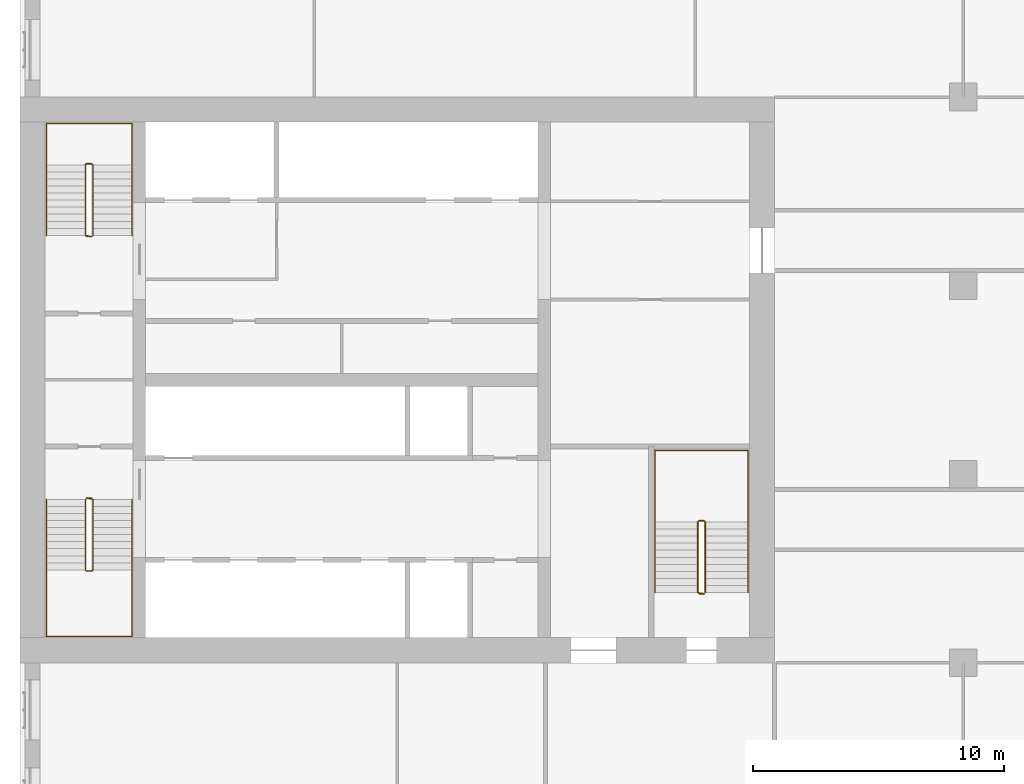
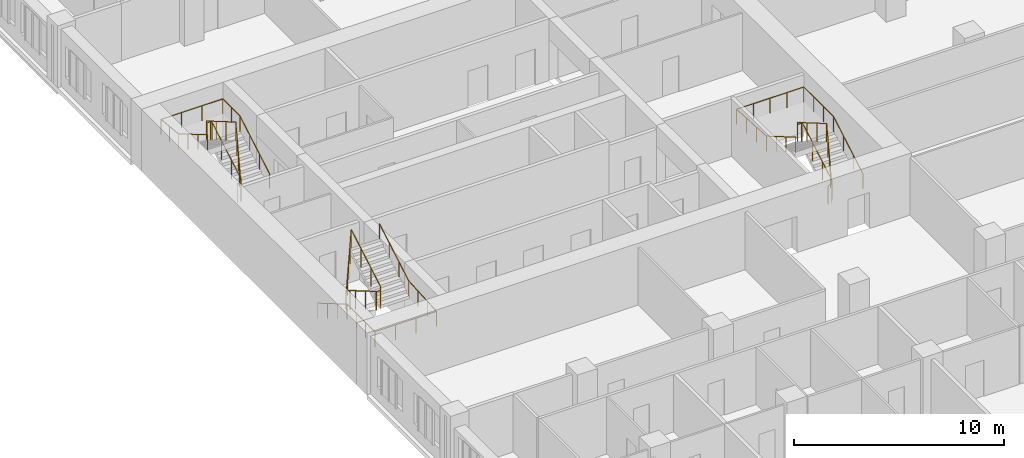
# One storey, part 14 of 14: 6 railings.
"""IFC4 building model written with IfcOpenShell, lengths in metres."""

from ifc_helpers import new_model, si_unit, direction, frame, origin, origin_2d, place, context, subcontext, project, spatial, circle, extrude, material, type_object, element, save


model = new_model("IFC4")

# Units and contexts
model_context = context("Model", 3, precision=1e-05, world=origin(), true_north=direction((0.0, 1.0)))
body_context = subcontext(model_context, "Body", "Model", "MODEL_VIEW")
ifc_project = project(units=[si_unit("LENGTHUNIT", "METRE"), si_unit("AREAUNIT", "SQUARE_METRE"), si_unit("VOLUMEUNIT", "CUBIC_METRE"), si_unit("PLANEANGLEUNIT", "RADIAN"), si_unit("MASSUNIT", "GRAM", prefix="KILO")], contexts=[model_context])

# Site, building, storey
site_placement = place(None, origin())
site = spatial("IfcSite", under=ifc_project, at=site_placement, CompositionType="ELEMENT")
building_placement = place(site_placement, origin())
building = spatial("IfcBuilding", under=site, at=building_placement, Name="Tamorin Gate", CompositionType="ELEMENT")
storey_placement = place(building_placement, frame((0.0, 0.0, 79.10009765625)))
storey = spatial("IfcBuildingStorey", under=building, at=storey_placement, Name="L18", CompositionType="ELEMENT", Elevation=79.10009765625)

# Railings
ifc_material_1 = material(Name="Painted steel balustrade", Category="steel")
railing_type_1 = type_object("IfcRailingType", Name="Stair guard 1100", PredefinedType="GUARDRAIL", material=ifc_material_1)
railing_1_placement = place(storey_placement, frame((32.60009765625, 66.5, 0.16357421875)))
element("IfcRailing", 1, at=railing_1_placement, inside=storey, type_object=railing_type_1, Name="L18 ST1 stair guard 1", PredefinedType="GUARDRAIL", context=body_context, shape_type="SweptSolid", body=[
    extrude(circle(Radius=0.02392578125, at=origin_2d()), frame((0.0, 0.0, 1.076171875), z_axis=(0.0, -0.863393664356, 0.504530851732), x_axis=(1.0, 0.0, 0.0)), (0.0, 0.0, 1.0), 3.2431640625),
    extrude(circle(Radius=0.02392578125, at=origin_2d()), frame((0.0, -2.800048828125, 2.71240234375), z_axis=(0.705375805398, -0.708833529934, 0.0), x_axis=(0.708833529934, 0.705375805398, 0.0)), (0.0, 0.0, 1.0), 0.070556640625),
    extrude(circle(Radius=0.02392578125, at=origin_2d()), frame((0.0498046875, -2.85009765625, 2.71240234375), z_axis=(1.0, 0.0, 0.0), x_axis=(0.0, 1.0, 0.0)), (0.0, 0.0, 1.0), 0.2001953125),
    extrude(circle(Radius=0.02392578125, at=origin_2d()), frame((0.25, -2.85009765625, 2.71240234375), z_axis=(0.279194930351, 0.280563532951, 0.91833234444), x_axis=(-0.708833529934, 0.705375805398, 0.0)), (0.0, 0.0, 1.0), 0.178466796875),
    extrude(circle(Radius=0.02392578125, at=origin_2d()), frame((0.2998046875, -2.800048828125, 2.8759765625), z_axis=(0.0, 0.863393664356, 0.504530851732), x_axis=(-1.0, 0.0, 0.0)), (0.0, 0.0, 1.0), 3.2431640625),
    extrude(circle(Radius=0.02392578125, at=origin_2d()), frame((0.2998046875, 0.0, 4.51220703125), z_axis=(-0.069273741535, 0.013868278335, -0.997501288014), x_axis=(-0.196300278283, -0.98054382908, 0.0)), (0.0, 0.0, 1.0), 3.60888671875),
    extrude(circle(Radius=0.02392578125, at=origin_2d()), frame((0.0498046875, 0.050048828125, 0.91259765625), z_axis=(1.0, 0.0, 0.0), x_axis=(0.0, 1.0, 0.0)), (0.0, 0.0, 1.0), 0.2001953125),
    extrude(circle(Radius=0.02099609375, at=origin_2d()), origin(), (0.0, 0.0, 1.0), 1.052001953125),
    extrude(circle(Radius=0.02099609375, at=origin_2d()), frame((0.0, -0.933349609375, 0.54541015625)), (0.0, 0.0, 1.0), 1.052001953125),
    extrude(circle(Radius=0.02099609375, at=origin_2d()), frame((0.0, -1.86669921875, 1.0908203125)), (0.0, 0.0, 1.0), 1.052001953125),
    extrude(circle(Radius=0.02099609375, at=origin_2d()), frame((0.0, -2.800048828125, 1.63623046875)), (0.0, 0.0, 1.0), 1.052001953125),
    extrude(circle(Radius=0.02099609375, at=origin_2d()), frame((0.0498046875, -2.85009765625, 1.63623046875)), (0.0, 0.0, 1.0), 1.052001953125),
    extrude(circle(Radius=0.02099609375, at=origin_2d()), frame((0.25, -2.85009765625, 1.63623046875)), (0.0, 0.0, 1.0), 1.052001953125),
    extrude(circle(Radius=0.02099609375, at=origin_2d()), frame((0.2998046875, -2.800048828125, 1.800048828125)), (0.0, 0.0, 1.0), 1.052001953125),
    extrude(circle(Radius=0.02099609375, at=origin_2d()), frame((0.2998046875, -1.86669921875, 2.345458984375)), (0.0, 0.0, 1.0), 1.052001953125),
    extrude(circle(Radius=0.02099609375, at=origin_2d()), frame((0.2998046875, -0.933349609375, 2.890869140625)), (0.0, 0.0, 1.0), 1.052001953125),
    extrude(circle(Radius=0.02099609375, at=origin_2d()), frame((0.2998046875, 0.0, 3.436279296875)), (0.0, 0.0, 1.0), 1.052001953125),
    extrude(circle(Radius=0.02099609375, at=origin_2d()), frame((0.2373046875, 0.012451171875, 2.536376953125)), (0.0, 0.0, 1.0), 1.052001953125),
    extrude(circle(Radius=0.02099609375, at=origin_2d()), frame((0.1748046875, 0.02490234375, 1.63623046875)), (0.0, 0.0, 1.0), 1.052001953125),
    extrude(circle(Radius=0.02099609375, at=origin_2d()), frame((0.1123046875, 0.03759765625, 0.736328125)), (0.0, 0.0, 1.0), 1.052001953125),
    extrude(circle(Radius=0.02099609375, at=origin_2d()), frame((0.0498046875, 0.050048828125, -0.16357421875)), (0.0, 0.0, 1.0), 1.052001953125),
    extrude(circle(Radius=0.02099609375, at=origin_2d()), frame((0.25, 0.050048828125, -0.16357421875)), (0.0, 0.0, 1.0), 1.052001953125),
])
railing_2_placement = place(storey_placement, frame((32.89990234375, 77.0, 0.16357421875)))
element("IfcRailing", 2, at=railing_2_placement, inside=storey, type_object=railing_type_1, Name="L18 ST2 stair guard 1", PredefinedType="GUARDRAIL", context=body_context, shape_type="SweptSolid", body=[
    extrude(circle(Radius=0.02392578125, at=origin_2d()), frame((0.0, 0.0, 1.076171875), z_axis=(0.0, 0.863393664356, 0.504530851732), x_axis=(-1.0, 0.0, 0.0)), (0.0, 0.0, 1.0), 3.2431640625),
    extrude(circle(Radius=0.02392578125, at=origin_2d()), frame((0.0, 2.800048828125, 2.71240234375), z_axis=(-0.705375805398, 0.708833529934, 0.0), x_axis=(-0.708833529934, -0.705375805398, 0.0)), (0.0, 0.0, 1.0), 0.070556640625),
    extrude(circle(Radius=0.02392578125, at=origin_2d()), frame((-0.0498046875, 2.85009765625, 2.71240234375), z_axis=(-1.0, 0.0, 0.0), x_axis=(0.0, -1.0, 0.0)), (0.0, 0.0, 1.0), 0.2001953125),
    extrude(circle(Radius=0.02392578125, at=origin_2d()), frame((-0.25, 2.85009765625, 2.71240234375), z_axis=(-0.279194930351, -0.280563532951, 0.91833234444), x_axis=(0.708833529934, -0.705375805398, 0.0)), (0.0, 0.0, 1.0), 0.178466796875),
    extrude(circle(Radius=0.02392578125, at=origin_2d()), frame((-0.2998046875, 2.800048828125, 2.8759765625), z_axis=(0.0, -0.863393664356, 0.504530851732), x_axis=(1.0, 0.0, 0.0)), (0.0, 0.0, 1.0), 3.2431640625),
    extrude(circle(Radius=0.02392578125, at=origin_2d()), frame((-0.2998046875, 0.0, 4.51220703125), z_axis=(0.069273741535, -0.013868278335, -0.997501288014), x_axis=(0.196300278283, 0.98054382908, 0.0)), (0.0, 0.0, 1.0), 3.60888671875),
    extrude(circle(Radius=0.02392578125, at=origin_2d()), frame((-0.0498046875, -0.050048828125, 0.91259765625), z_axis=(-1.0, 0.0, 0.0), x_axis=(0.0, -1.0, 0.0)), (0.0, 0.0, 1.0), 0.2001953125),
    extrude(circle(Radius=0.02099609375, at=origin_2d()), origin(), (0.0, 0.0, 1.0), 1.052001953125),
    extrude(circle(Radius=0.02099609375, at=origin_2d()), frame((0.0, 0.933349609375, 0.54541015625)), (0.0, 0.0, 1.0), 1.052001953125),
    extrude(circle(Radius=0.02099609375, at=origin_2d()), frame((0.0, 1.86669921875, 1.0908203125)), (0.0, 0.0, 1.0), 1.052001953125),
    extrude(circle(Radius=0.02099609375, at=origin_2d()), frame((0.0, 2.800048828125, 1.63623046875)), (0.0, 0.0, 1.0), 1.052001953125),
    extrude(circle(Radius=0.02099609375, at=origin_2d()), frame((-0.0498046875, 2.85009765625, 1.63623046875)), (0.0, 0.0, 1.0), 1.052001953125),
    extrude(circle(Radius=0.02099609375, at=origin_2d()), frame((-0.25, 2.85009765625, 1.63623046875)), (0.0, 0.0, 1.0), 1.052001953125),
    extrude(circle(Radius=0.02099609375, at=origin_2d()), frame((-0.2998046875, 2.800048828125, 1.800048828125)), (0.0, 0.0, 1.0), 1.052001953125),
    extrude(circle(Radius=0.02099609375, at=origin_2d()), frame((-0.2998046875, 1.86669921875, 2.345458984375)), (0.0, 0.0, 1.0), 1.052001953125),
    extrude(circle(Radius=0.02099609375, at=origin_2d()), frame((-0.2998046875, 0.933349609375, 2.890869140625)), (0.0, 0.0, 1.0), 1.052001953125),
    extrude(circle(Radius=0.02099609375, at=origin_2d()), frame((-0.2998046875, 0.0, 3.436279296875)), (0.0, 0.0, 1.0), 1.052001953125),
    extrude(circle(Radius=0.02099609375, at=origin_2d()), frame((-0.2373046875, -0.012451171875, 2.536376953125)), (0.0, 0.0, 1.0), 1.052001953125),
    extrude(circle(Radius=0.02099609375, at=origin_2d()), frame((-0.1748046875, -0.02490234375, 1.63623046875)), (0.0, 0.0, 1.0), 1.052001953125),
    extrude(circle(Radius=0.02099609375, at=origin_2d()), frame((-0.1123046875, -0.03759765625, 0.736328125)), (0.0, 0.0, 1.0), 1.052001953125),
    extrude(circle(Radius=0.02099609375, at=origin_2d()), frame((-0.0498046875, -0.050048828125, -0.16357421875)), (0.0, 0.0, 1.0), 1.052001953125),
    extrude(circle(Radius=0.02099609375, at=origin_2d()), frame((-0.25, -0.050048828125, -0.16357421875)), (0.0, 0.0, 1.0), 1.052001953125),
])
railing_3_placement = place(storey_placement, frame((57.25, 62.800048828125, 0.16357421875)))
element("IfcRailing", 3, at=railing_3_placement, inside=storey, type_object=railing_type_1, Name="L18 ST3 stair guard 1", PredefinedType="GUARDRAIL", context=body_context, shape_type="SweptSolid", body=[
    extrude(circle(Radius=0.02392578125, at=origin_2d()), frame((0.0, 0.0, 1.076171875), z_axis=(0.0, 0.863393664356, 0.504530851732), x_axis=(-1.0, 0.0, 0.0)), (0.0, 0.0, 1.0), 3.2431640625),
    extrude(circle(Radius=0.02392578125, at=origin_2d()), frame((0.0, 2.800048828125, 2.71240234375), z_axis=(-0.708833529934, 0.705375805398, 0.0), x_axis=(-0.705375805398, -0.708833529934, 0.0)), (0.0, 0.0, 1.0), 0.070556640625),
    extrude(circle(Radius=0.02392578125, at=origin_2d()), frame((-0.050048828125, 2.849853515625, 2.71240234375), z_axis=(-1.0, 0.0, 0.0), x_axis=(0.0, -1.0, 0.0)), (0.0, 0.0, 1.0), 0.199951171875),
    extrude(circle(Radius=0.02392578125, at=origin_2d()), frame((-0.25, 2.849853515625, 2.71240234375), z_axis=(-0.280563532951, -0.279194930351, 0.91833234444), x_axis=(0.705375805398, -0.708833529934, 0.0)), (0.0, 0.0, 1.0), 0.178466796875),
    extrude(circle(Radius=0.02392578125, at=origin_2d()), frame((-0.300048828125, 2.800048828125, 2.8759765625), z_axis=(0.0, -0.863393664356, 0.504530851732), x_axis=(1.0, 0.0, 0.0)), (0.0, 0.0, 1.0), 3.2431640625),
    extrude(circle(Radius=0.02392578125, at=origin_2d()), frame((-0.300048828125, 0.0, 4.51220703125), z_axis=(0.069273741535, -0.013868278335, -0.997501288014), x_axis=(0.196300278283, 0.98054382908, 0.0)), (0.0, 0.0, 1.0), 3.60888671875),
    extrude(circle(Radius=0.02392578125, at=origin_2d()), frame((-0.050048828125, -0.050048828125, 0.91259765625), z_axis=(-1.0, 0.0, 0.0), x_axis=(0.0, -1.0, 0.0)), (0.0, 0.0, 1.0), 0.199951171875),
    extrude(circle(Radius=0.02099609375, at=origin_2d()), origin(), (0.0, 0.0, 1.0), 1.052001953125),
    extrude(circle(Radius=0.02099609375, at=origin_2d()), frame((0.0, 0.933349609375, 0.54541015625)), (0.0, 0.0, 1.0), 1.052001953125),
    extrude(circle(Radius=0.02099609375, at=origin_2d()), frame((0.0, 1.86669921875, 1.0908203125)), (0.0, 0.0, 1.0), 1.052001953125),
    extrude(circle(Radius=0.02099609375, at=origin_2d()), frame((0.0, 2.800048828125, 1.63623046875)), (0.0, 0.0, 1.0), 1.052001953125),
    extrude(circle(Radius=0.02099609375, at=origin_2d()), frame((-0.050048828125, 2.849853515625, 1.63623046875)), (0.0, 0.0, 1.0), 1.052001953125),
    extrude(circle(Radius=0.02099609375, at=origin_2d()), frame((-0.25, 2.849853515625, 1.63623046875)), (0.0, 0.0, 1.0), 1.052001953125),
    extrude(circle(Radius=0.02099609375, at=origin_2d()), frame((-0.300048828125, 2.800048828125, 1.800048828125)), (0.0, 0.0, 1.0), 1.052001953125),
    extrude(circle(Radius=0.02099609375, at=origin_2d()), frame((-0.300048828125, 1.86669921875, 2.345458984375)), (0.0, 0.0, 1.0), 1.052001953125),
    extrude(circle(Radius=0.02099609375, at=origin_2d()), frame((-0.300048828125, 0.933349609375, 2.890869140625)), (0.0, 0.0, 1.0), 1.052001953125),
    extrude(circle(Radius=0.02099609375, at=origin_2d()), frame((-0.300048828125, 0.0, 3.436279296875)), (0.0, 0.0, 1.0), 1.052001953125),
    extrude(circle(Radius=0.02099609375, at=origin_2d()), frame((-0.237548828125, -0.012451171875, 2.536376953125)), (0.0, 0.0, 1.0), 1.052001953125),
    extrude(circle(Radius=0.02099609375, at=origin_2d()), frame((-0.175048828125, -0.02490234375, 1.63623046875)), (0.0, 0.0, 1.0), 1.052001953125),
    extrude(circle(Radius=0.02099609375, at=origin_2d()), frame((-0.112548828125, -0.03759765625, 0.736328125)), (0.0, 0.0, 1.0), 1.052001953125),
    extrude(circle(Radius=0.02099609375, at=origin_2d()), frame((-0.050048828125, -0.050048828125, -0.16357421875)), (0.0, 0.0, 1.0), 1.052001953125),
    extrude(circle(Radius=0.02099609375, at=origin_2d()), frame((-0.25, -0.050048828125, -0.16357421875)), (0.0, 0.0, 1.0), 1.052001953125),
])
ifc_material_2 = material(Name="Painted steel handrail", Category="steel")
railing_type_2 = type_object("IfcRailingType", Name="Stair handrail 900", PredefinedType="HANDRAIL", material=ifc_material_2)
railing_4_placement = place(storey_placement, frame((31.050048828125, 66.5, 0.16357421875)))
element("IfcRailing", 4, at=railing_4_placement, inside=storey, type_object=railing_type_2, Name="L18 ST1 stair handrail 1", PredefinedType="HANDRAIL", context=body_context, shape_type="SweptSolid", body=[
    extrude(circle(Radius=0.02392578125, at=origin_2d()), frame((0.0, 0.0, 0.8759765625), z_axis=(0.0, -0.863393664356, 0.504530851732), x_axis=(1.0, 0.0, 0.0)), (0.0, 0.0, 1.0), 3.2431640625),
    extrude(circle(Radius=0.02392578125, at=origin_2d()), frame((0.0, -2.800048828125, 2.51220703125), z_axis=(0.0, -1.0, 0.0), x_axis=(1.0, 0.0, 0.0)), (0.0, 0.0, 1.0), 2.64990234375),
    extrude(circle(Radius=0.02392578125, at=origin_2d()), frame((0.0, -5.449951171875, 2.51220703125), z_axis=(1.0, 0.0, 0.0), x_axis=(0.0, 1.0, 0.0)), (0.0, 0.0, 1.0), 3.39990234375),
    extrude(circle(Radius=0.02392578125, at=origin_2d()), frame((3.39990234375, -5.449951171875, 2.51220703125), z_axis=(0.0, 0.998094571079, 0.061702732375), x_axis=(-1.0, 0.0, 0.0)), (0.0, 0.0, 1.0), 2.655029296875),
    extrude(circle(Radius=0.02392578125, at=origin_2d()), frame((3.39990234375, -2.800048828125, 2.67578125), z_axis=(0.0, 0.863393664356, 0.504530851732), x_axis=(-1.0, 0.0, 0.0)), (0.0, 0.0, 1.0), 3.2431640625),
    extrude(circle(Radius=0.02099609375, at=origin_2d()), origin(), (0.0, 0.0, 1.0), 0.851806640625),
    extrude(circle(Radius=0.02099609375, at=origin_2d()), frame((0.0, -0.933349609375, 0.54541015625)), (0.0, 0.0, 1.0), 0.851806640625),
    extrude(circle(Radius=0.02099609375, at=origin_2d()), frame((0.0, -1.86669921875, 1.0908203125)), (0.0, 0.0, 1.0), 0.851806640625),
    extrude(circle(Radius=0.02099609375, at=origin_2d()), frame((0.0, -2.800048828125, 1.63623046875)), (0.0, 0.0, 1.0), 0.851806640625),
    extrude(circle(Radius=0.02099609375, at=origin_2d()), frame((0.0, -3.683349609375, 1.63623046875)), (0.0, 0.0, 1.0), 0.851806640625),
    extrude(circle(Radius=0.02099609375, at=origin_2d()), frame((0.0, -4.566650390625, 1.63623046875)), (0.0, 0.0, 1.0), 0.851806640625),
    extrude(circle(Radius=0.02099609375, at=origin_2d()), frame((0.0, -5.449951171875, 1.63623046875)), (0.0, 0.0, 1.0), 0.851806640625),
    extrude(circle(Radius=0.02099609375, at=origin_2d()), frame((1.13330078125, -5.449951171875, 1.63623046875)), (0.0, 0.0, 1.0), 0.851806640625),
    extrude(circle(Radius=0.02099609375, at=origin_2d()), frame((2.2666015625, -5.449951171875, 1.63623046875)), (0.0, 0.0, 1.0), 0.851806640625),
    extrude(circle(Radius=0.02099609375, at=origin_2d()), frame((3.39990234375, -5.449951171875, 1.63623046875)), (0.0, 0.0, 1.0), 0.851806640625),
    extrude(circle(Radius=0.02099609375, at=origin_2d()), frame((3.39990234375, -4.566650390625, 1.69091796875)), (0.0, 0.0, 1.0), 0.851806640625),
    extrude(circle(Radius=0.02099609375, at=origin_2d()), frame((3.39990234375, -3.683349609375, 1.745361328125)), (0.0, 0.0, 1.0), 0.851806640625),
    extrude(circle(Radius=0.02099609375, at=origin_2d()), frame((3.39990234375, -2.800048828125, 1.800048828125)), (0.0, 0.0, 1.0), 0.851806640625),
    extrude(circle(Radius=0.02099609375, at=origin_2d()), frame((3.39990234375, -1.86669921875, 2.345458984375)), (0.0, 0.0, 1.0), 0.851806640625),
    extrude(circle(Radius=0.02099609375, at=origin_2d()), frame((3.39990234375, -0.933349609375, 2.890869140625)), (0.0, 0.0, 1.0), 0.851806640625),
    extrude(circle(Radius=0.02099609375, at=origin_2d()), frame((3.39990234375, 0.0, 3.436279296875)), (0.0, 0.0, 1.0), 0.851806640625),
])
railing_5_placement = place(storey_placement, frame((34.449951171875, 77.0, 0.16357421875)))
element("IfcRailing", 5, at=railing_5_placement, inside=storey, type_object=railing_type_2, Name="L18 ST2 stair handrail 1", PredefinedType="HANDRAIL", context=body_context, shape_type="SweptSolid", body=[
    extrude(circle(Radius=0.02392578125, at=origin_2d()), frame((0.0, 0.0, 0.8759765625), z_axis=(0.0, 0.863393664356, 0.504530851732), x_axis=(-1.0, 0.0, 0.0)), (0.0, 0.0, 1.0), 3.2431640625),
    extrude(circle(Radius=0.02392578125, at=origin_2d()), frame((0.0, 2.800048828125, 2.51220703125), z_axis=(0.0, 1.0, 0.0), x_axis=(-1.0, 0.0, 0.0)), (0.0, 0.0, 1.0), 1.64990234375),
    extrude(circle(Radius=0.02392578125, at=origin_2d()), frame((0.0, 4.449951171875, 2.51220703125), z_axis=(-1.0, 0.0, 0.0), x_axis=(0.0, -1.0, 0.0)), (0.0, 0.0, 1.0), 3.39990234375),
    extrude(circle(Radius=0.02392578125, at=origin_2d()), frame((-3.39990234375, 4.449951171875, 2.51220703125), z_axis=(0.0, -0.995106923726, 0.098803898464), x_axis=(1.0, 0.0, 0.0)), (0.0, 0.0, 1.0), 1.657958984375),
    extrude(circle(Radius=0.02392578125, at=origin_2d()), frame((-3.39990234375, 2.800048828125, 2.67578125), z_axis=(0.0, -0.863393664356, 0.504530851732), x_axis=(1.0, 0.0, 0.0)), (0.0, 0.0, 1.0), 3.2431640625),
    extrude(circle(Radius=0.02099609375, at=origin_2d()), origin(), (0.0, 0.0, 1.0), 0.851806640625),
    extrude(circle(Radius=0.02099609375, at=origin_2d()), frame((0.0, 0.933349609375, 0.54541015625)), (0.0, 0.0, 1.0), 0.851806640625),
    extrude(circle(Radius=0.02099609375, at=origin_2d()), frame((0.0, 1.86669921875, 1.0908203125)), (0.0, 0.0, 1.0), 0.851806640625),
    extrude(circle(Radius=0.02099609375, at=origin_2d()), frame((0.0, 2.800048828125, 1.63623046875)), (0.0, 0.0, 1.0), 0.851806640625),
    extrude(circle(Radius=0.02099609375, at=origin_2d()), frame((0.0, 3.625, 1.63623046875)), (0.0, 0.0, 1.0), 0.851806640625),
    extrude(circle(Radius=0.02099609375, at=origin_2d()), frame((0.0, 4.449951171875, 1.63623046875)), (0.0, 0.0, 1.0), 0.851806640625),
    extrude(circle(Radius=0.02099609375, at=origin_2d()), frame((-1.13330078125, 4.449951171875, 1.63623046875)), (0.0, 0.0, 1.0), 0.851806640625),
    extrude(circle(Radius=0.02099609375, at=origin_2d()), frame((-2.2666015625, 4.449951171875, 1.63623046875)), (0.0, 0.0, 1.0), 0.851806640625),
    extrude(circle(Radius=0.02099609375, at=origin_2d()), frame((-3.39990234375, 4.449951171875, 1.63623046875)), (0.0, 0.0, 1.0), 0.851806640625),
    extrude(circle(Radius=0.02099609375, at=origin_2d()), frame((-3.39990234375, 3.625, 1.71826171875)), (0.0, 0.0, 1.0), 0.851806640625),
    extrude(circle(Radius=0.02099609375, at=origin_2d()), frame((-3.39990234375, 2.800048828125, 1.800048828125)), (0.0, 0.0, 1.0), 0.851806640625),
    extrude(circle(Radius=0.02099609375, at=origin_2d()), frame((-3.39990234375, 1.86669921875, 2.345458984375)), (0.0, 0.0, 1.0), 0.851806640625),
    extrude(circle(Radius=0.02099609375, at=origin_2d()), frame((-3.39990234375, 0.933349609375, 2.890869140625)), (0.0, 0.0, 1.0), 0.851806640625),
    extrude(circle(Radius=0.02099609375, at=origin_2d()), frame((-3.39990234375, 0.0, 3.436279296875)), (0.0, 0.0, 1.0), 0.851806640625),
])
railing_6_placement = place(storey_placement, frame((58.949951171875, 62.800048828125, 0.16357421875)))
element("IfcRailing", 6, at=railing_6_placement, inside=storey, type_object=railing_type_2, Name="L18 ST3 stair handrail 1", PredefinedType="HANDRAIL", context=body_context, shape_type="SweptSolid", body=[
    extrude(circle(Radius=0.02392578125, at=origin_2d()), frame((0.0, 0.0, 0.8759765625), z_axis=(0.0, 0.863393664356, 0.504530851732), x_axis=(-1.0, 0.0, 0.0)), (0.0, 0.0, 1.0), 3.2431640625),
    extrude(circle(Radius=0.02392578125, at=origin_2d()), frame((0.0, 2.800048828125, 2.51220703125), z_axis=(0.0, 1.0, 0.0), x_axis=(-1.0, 0.0, 0.0)), (0.0, 0.0, 1.0), 2.849853515625),
    extrude(circle(Radius=0.02392578125, at=origin_2d()), frame((0.0, 5.64990234375, 2.51220703125), z_axis=(-1.0, 0.0, 0.0), x_axis=(0.0, -1.0, 0.0)), (0.0, 0.0, 1.0), 3.699951171875),
    extrude(circle(Radius=0.02392578125, at=origin_2d()), frame((-3.699951171875, 5.64990234375, 2.51220703125), z_axis=(0.0, -0.998351930891, 0.057388344524), x_axis=(1.0, 0.0, 0.0)), (0.0, 0.0, 1.0), 2.8544921875),
    extrude(circle(Radius=0.02392578125, at=origin_2d()), frame((-3.699951171875, 2.800048828125, 2.67578125), z_axis=(0.0, -0.863393664356, 0.504530851732), x_axis=(1.0, 0.0, 0.0)), (0.0, 0.0, 1.0), 3.2431640625),
    extrude(circle(Radius=0.02099609375, at=origin_2d()), origin(), (0.0, 0.0, 1.0), 0.851806640625),
    extrude(circle(Radius=0.02099609375, at=origin_2d()), frame((0.0, 0.933349609375, 0.54541015625)), (0.0, 0.0, 1.0), 0.851806640625),
    extrude(circle(Radius=0.02099609375, at=origin_2d()), frame((0.0, 1.86669921875, 1.0908203125)), (0.0, 0.0, 1.0), 0.851806640625),
    extrude(circle(Radius=0.02099609375, at=origin_2d()), frame((0.0, 2.800048828125, 1.63623046875)), (0.0, 0.0, 1.0), 0.851806640625),
    extrude(circle(Radius=0.02099609375, at=origin_2d()), frame((0.0, 3.75, 1.63623046875)), (0.0, 0.0, 1.0), 0.851806640625),
    extrude(circle(Radius=0.02099609375, at=origin_2d()), frame((0.0, 4.699951171875, 1.63623046875)), (0.0, 0.0, 1.0), 0.851806640625),
    extrude(circle(Radius=0.02099609375, at=origin_2d()), frame((0.0, 5.64990234375, 1.63623046875)), (0.0, 0.0, 1.0), 0.851806640625),
    extrude(circle(Radius=0.02099609375, at=origin_2d()), frame((-0.925048828125, 5.64990234375, 1.63623046875)), (0.0, 0.0, 1.0), 0.851806640625),
    extrude(circle(Radius=0.02099609375, at=origin_2d()), frame((-1.85009765625, 5.64990234375, 1.63623046875)), (0.0, 0.0, 1.0), 0.851806640625),
    extrude(circle(Radius=0.02099609375, at=origin_2d()), frame((-2.77490234375, 5.64990234375, 1.63623046875)), (0.0, 0.0, 1.0), 0.851806640625),
    extrude(circle(Radius=0.02099609375, at=origin_2d()), frame((-3.699951171875, 5.64990234375, 1.63623046875)), (0.0, 0.0, 1.0), 0.851806640625),
    extrude(circle(Radius=0.02099609375, at=origin_2d()), frame((-3.699951171875, 4.699951171875, 1.69091796875)), (0.0, 0.0, 1.0), 0.851806640625),
    extrude(circle(Radius=0.02099609375, at=origin_2d()), frame((-3.699951171875, 3.75, 1.745361328125)), (0.0, 0.0, 1.0), 0.851806640625),
    extrude(circle(Radius=0.02099609375, at=origin_2d()), frame((-3.699951171875, 2.800048828125, 1.800048828125)), (0.0, 0.0, 1.0), 0.851806640625),
    extrude(circle(Radius=0.02099609375, at=origin_2d()), frame((-3.699951171875, 1.86669921875, 2.345458984375)), (0.0, 0.0, 1.0), 0.851806640625),
    extrude(circle(Radius=0.02099609375, at=origin_2d()), frame((-3.699951171875, 0.933349609375, 2.890869140625)), (0.0, 0.0, 1.0), 0.851806640625),
    extrude(circle(Radius=0.02099609375, at=origin_2d()), frame((-3.699951171875, 0.0, 3.436279296875)), (0.0, 0.0, 1.0), 0.851806640625),
])

save(model, "model.ifc")
